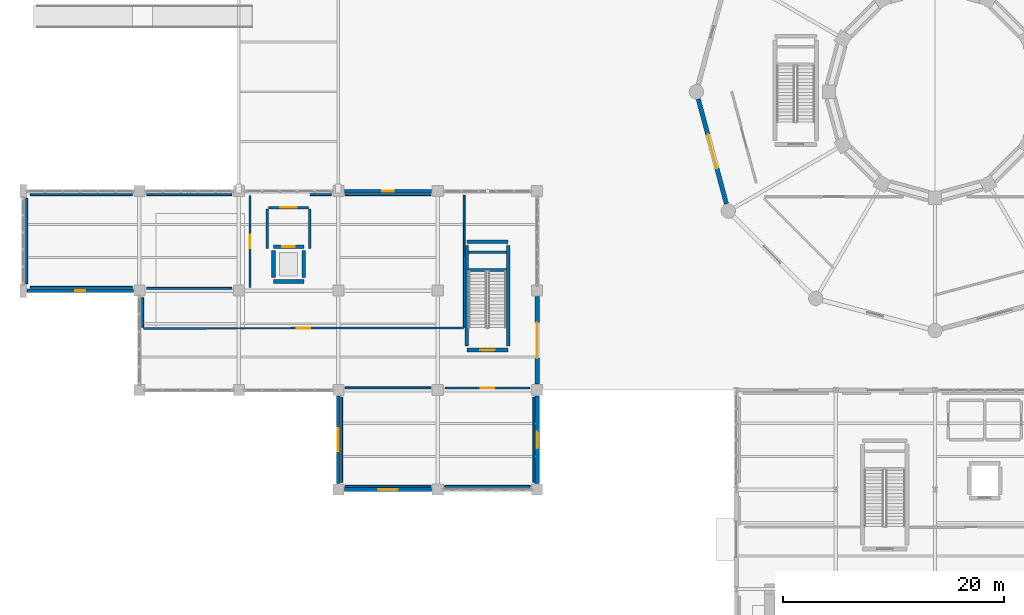
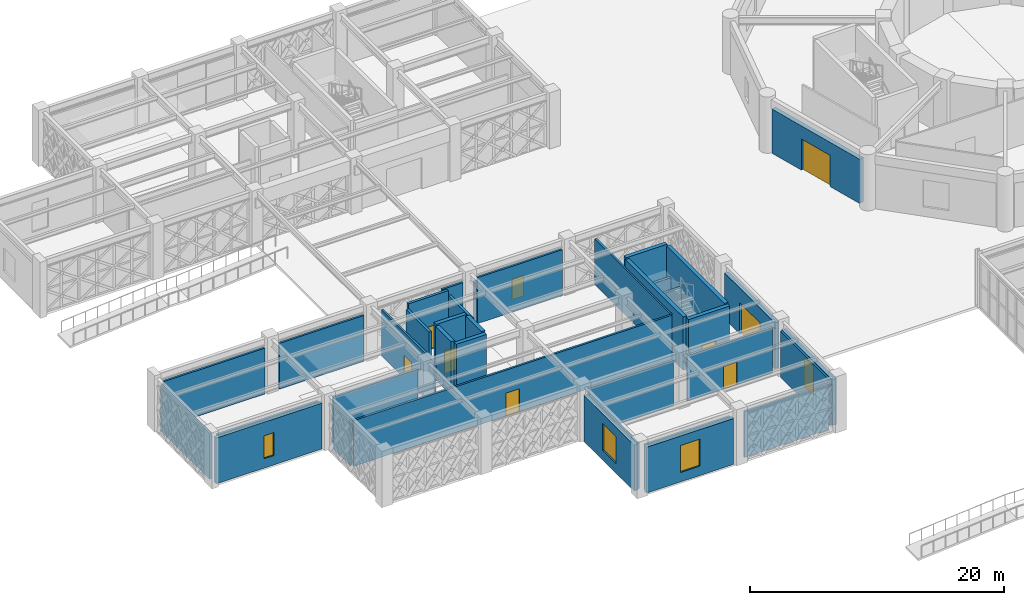
# One storey, part 114 of 140: 37 walls, 8 doors, 5 windows, 13 openings.
"""IFC4 building model written with IfcOpenShell, lengths in metres."""

from ifc_helpers import new_model, si_unit, direction, frame, frame_2d, origin, place, context, subcontext, project, spatial, rectangle, extrude, material, layer, layer_set, type_object, element, fill, save


model = new_model("IFC4")

# Units and contexts
model_context = context("Model", 3, precision=1e-05, world=origin(), true_north=direction((0.0, 1.0)))
body_context = subcontext(model_context, "Body", "Model", "MODEL_VIEW")
ifc_project = project(units=[si_unit("LENGTHUNIT", "METRE"), si_unit("AREAUNIT", "SQUARE_METRE"), si_unit("VOLUMEUNIT", "CUBIC_METRE"), si_unit("PLANEANGLEUNIT", "RADIAN"), si_unit("MASSUNIT", "GRAM", prefix="KILO")], contexts=[model_context])

# Site, building, storey
site_placement = place(None, origin())
site = spatial("IfcSite", under=ifc_project, at=site_placement, CompositionType="ELEMENT")
building_placement = place(site_placement, origin())
building = spatial("IfcBuilding", under=site, at=building_placement, Name="Haizhuo Lancet Aquarium", CompositionType="ELEMENT")
storey_placement = place(building_placement, origin())
storey = spatial("IfcBuildingStorey", under=building, at=storey_placement, Name="L00", CompositionType="ELEMENT", Elevation=0.0)

# Wall, opening, window
ifc_material_1 = material(Name="Shandong Grey Limestone Ashlar", Category="masonry")
ifc_layer_1 = layer(ifc_material_1, 0.280029296875)
ifc_layer_set_1 = layer_set([ifc_layer_1], Name="Shandong Grey Limestone Ashlar")
wall_type_1 = type_object("IfcWallType", Name="EWL-ASH-280", PredefinedType="SOLIDWALL", material=ifc_layer_set_1)
wall_1_placement = place(storey_placement, frame((-53.455078125, -9.0, 0.0), z_axis=(0.0, 0.0, 1.0), x_axis=(1.0, 0.0, 0.0)))
wall_1 = element("IfcWall", 1, at=wall_1_placement, inside=storey, type_object=wall_type_1, Name="L00 V6 limestone facade wall 95", PredefinedType="SOLIDWALL", context=body_context, shape_type="SweptSolid", body=[
    extrude(rectangle(XDim=7.91015625, YDim=0.280029296875, at=frame_2d((3.955078125, 0.0))), origin(), (0.0, 0.0, 1.0), 3.81494140625),
])
opening_1_placement = place(wall_1_placement, frame((3.429931640625, 0.0, 0.89990234375)))
opening_1 = element("IfcOpeningElement", 2, at=opening_1_placement, cuts=wall_1, Name="Opening WN-12", PredefinedType="OPENING", context=body_context, shape_type="SweptSolid", body=[
    extrude(rectangle(XDim=1.050048828125, YDim=2.0, at=frame_2d((0.52490234375, 1.0))), frame((0.0, 0.14990234375, 0.0), z_axis=(0.0, -1.0, 0.0), x_axis=(1.0, 0.0, 0.0)), (0.0, 0.0, 1.0), 0.300029),
])
ifc_material_2 = material(Name="Laminated Low-E Glass", Category="glass")
window_type_1 = type_object("IfcWindowType", Name="WIN-LAN-1050x2000", PartitioningType="SINGLE_PANEL", PredefinedType="WINDOW", material=ifc_material_2)
window_1_placement = place(opening_1_placement, origin())
window_1 = element("IfcWindow", 3, at=window_1_placement, inside=storey, type_object=window_type_1, Name="L00 V6 lancet window 72", OverallHeight=2.0, OverallWidth=1.050048828125, PartitioningType="SINGLE_PANEL", PredefinedType="WINDOW", context=body_context, shape_type="SweptSolid", body=[
    extrude(rectangle(XDim=1.050048828125, YDim=2.0, at=frame_2d((0.52490234375, 1.0))), frame((0.0, 0.030029296875, 0.0), z_axis=(0.0, -1.0, 0.0), x_axis=(1.0, 0.0, 0.0)), (0.0, 0.0, 1.0), 0.06005859375),
])
fill(opening_1, window_1)

ifc_layer_2 = layer(ifc_material_1, 0.320068359375)
ifc_layer_set_2 = layer_set([ifc_layer_2], Name="Shandong Grey Limestone Ashlar")
wall_type_2 = type_object("IfcWallType", Name="EWL-ASH-320", PredefinedType="SOLIDWALL", material=ifc_layer_set_2)
wall_2_placement = place(storey_placement, frame((-72.544921875, -18.0, 0.0), z_axis=(0.0, 0.0, 1.0), x_axis=(-1.0, 0.0, 0.0)))
wall_2 = element("IfcWall", 4, at=wall_2_placement, inside=storey, type_object=wall_type_2, Name="L00 V6 limestone facade wall 94", PredefinedType="SOLIDWALL", context=body_context, shape_type="SweptSolid", body=[
    extrude(rectangle(XDim=9.610107421875, YDim=0.320068359375, at=frame_2d((4.80517578125, 0.0))), origin(), (0.0, 0.0, 1.0), 4.405029296875),
])
opening_2_placement = place(wall_2_placement, frame((4.35498046875, 0.0, 0.89990234375)))
opening_2 = element("IfcOpeningElement", 5, at=opening_2_placement, cuts=wall_2, Name="Opening WN-11", PredefinedType="OPENING", context=body_context, shape_type="SweptSolid", body=[
    extrude(rectangle(XDim=0.89990234375, YDim=2.199951171875, at=frame_2d((0.449951171875, 1.10009765625))), frame((0.0, 0.169921875, 0.0), z_axis=(0.0, -1.0, 0.0), x_axis=(1.0, 0.0, 0.0)), (0.0, 0.0, 1.0), 0.340068),
])
window_type_2 = type_object("IfcWindowType", Name="WIN-LAN-900x2200", PartitioningType="SINGLE_PANEL", PredefinedType="WINDOW", material=ifc_material_2)
window_2_placement = place(opening_2_placement, origin())
window_2 = element("IfcWindow", 6, at=window_2_placement, inside=storey, type_object=window_type_2, Name="L00 V6 lancet window 71", OverallHeight=2.199951171875, OverallWidth=0.89990234375, PartitioningType="SINGLE_PANEL", PredefinedType="WINDOW", context=body_context, shape_type="SweptSolid", body=[
    extrude(rectangle(XDim=0.89990234375, YDim=2.199951171875, at=frame_2d((0.449951171875, 1.10009765625))), frame((0.0, 0.030029296875, 0.0), z_axis=(0.0, -1.0, 0.0), x_axis=(1.0, 0.0, 0.0)), (0.0, 0.0, 1.0), 0.06005859375),
])
fill(opening_2, window_2)

wall_3_placement = place(storey_placement, frame((-54.0, -35.455078125, 0.0), z_axis=(0.0, 0.0, 1.0), x_axis=(0.0, 1.0, 0.0)))
wall_3 = element("IfcWall", 7, at=wall_3_placement, inside=storey, type_object=wall_type_2, Name="L00 V6 limestone facade wall 99", PredefinedType="SOLIDWALL", context=body_context, shape_type="SweptSolid", body=[
    extrude(rectangle(XDim=7.91015625, YDim=0.320068359375, at=frame_2d((3.955078125, 0.0))), origin(), (0.0, 0.0, 1.0), 4.405029296875),
])
opening_3_placement = place(wall_3_placement, frame((2.905029296875, 0.0, 0.89990234375)))
opening_3 = element("IfcOpeningElement", 8, at=opening_3_placement, cuts=wall_3, Name="Opening WN-07", PredefinedType="OPENING", context=body_context, shape_type="SweptSolid", body=[
    extrude(rectangle(XDim=2.10009765625, YDim=2.60009765625, at=frame_2d((1.050048828125, 1.300048828125))), frame((0.0, 0.169921875, 0.0), z_axis=(0.0, -1.0, 0.0), x_axis=(1.0, 0.0, 0.0)), (0.0, 0.0, 1.0), 0.340068),
])
window_type_3 = type_object("IfcWindowType", Name="WIN-LAN-2100x2600", PartitioningType="SINGLE_PANEL", PredefinedType="WINDOW", material=ifc_material_2)
window_3_placement = place(opening_3_placement, origin())
window_3 = element("IfcWindow", 9, at=window_3_placement, inside=storey, type_object=window_type_3, Name="L00 V6 lancet window 75", OverallHeight=2.60009765625, OverallWidth=2.10009765625, PartitioningType="SINGLE_PANEL", PredefinedType="WINDOW", context=body_context, shape_type="SweptSolid", body=[
    extrude(rectangle(XDim=2.10009765625, YDim=2.60009765625, at=frame_2d((1.050048828125, 1.300048828125))), frame((0.0, 0.030029296875, 0.0), z_axis=(0.0, -1.0, 0.0), x_axis=(1.0, 0.0, 0.0)), (0.0, 0.0, 1.0), 0.06005859375),
])
fill(opening_3, window_3)

ifc_layer_3 = layer(ifc_material_1, 0.360107421875)
ifc_layer_set_3 = layer_set([ifc_layer_3], Name="Shandong Grey Limestone Ashlar")
wall_type_3 = type_object("IfcWallType", Name="EWL-ASH-360", PredefinedType="SOLIDWALL", material=ifc_layer_set_3)
wall_4_placement = place(storey_placement, frame((-45.544921875, -36.0, 0.0), z_axis=(0.0, 0.0, 1.0), x_axis=(-1.0, 0.0, 0.0)))
wall_4 = element("IfcWall", 10, at=wall_4_placement, inside=storey, type_object=wall_type_3, Name="L00 V6 limestone facade wall 98", PredefinedType="SOLIDWALL", context=body_context, shape_type="SweptSolid", body=[
    extrude(rectangle(XDim=7.91015625, YDim=0.360107421875, at=frame_2d((3.955078125, 0.0))), origin(), (0.0, 0.0, 1.0), 4.405029296875),
])
opening_4_placement = place(wall_4_placement, frame((3.054931640625, 0.0, 0.89990234375)))
opening_4 = element("IfcOpeningElement", 11, at=opening_4_placement, cuts=wall_4, Name="Opening WN-05", PredefinedType="OPENING", context=body_context, shape_type="SweptSolid", body=[
    extrude(rectangle(XDim=1.800048828125, YDim=2.60009765625, at=frame_2d((0.89990234375, 1.300048828125))), frame((0.0, 0.18994140625, 0.0), z_axis=(0.0, -1.0, 0.0), x_axis=(1.0, 0.0, 0.0)), (0.0, 0.0, 1.0), 0.380107),
])
window_type_4 = type_object("IfcWindowType", Name="WIN-LAN-1800x2600", PartitioningType="SINGLE_PANEL", PredefinedType="WINDOW", material=ifc_material_2)
window_4_placement = place(opening_4_placement, origin())
window_4 = element("IfcWindow", 12, at=window_4_placement, inside=storey, type_object=window_type_4, Name="L00 V6 lancet window 74", OverallHeight=2.60009765625, OverallWidth=1.800048828125, PartitioningType="SINGLE_PANEL", PredefinedType="WINDOW", context=body_context, shape_type="SweptSolid", body=[
    extrude(rectangle(XDim=1.800048828125, YDim=2.60009765625, at=frame_2d((0.89990234375, 1.300048828125))), frame((0.0, 0.030029296875, 0.0), z_axis=(0.0, -1.0, 0.0), x_axis=(1.0, 0.0, 0.0)), (0.0, 0.0, 1.0), 0.06005859375),
])
fill(opening_4, window_4)

# Wall, opening, door
ifc_layer_4 = layer(ifc_material_1, 0.39990234375)
ifc_layer_set_4 = layer_set([ifc_layer_4], Name="Shandong Grey Limestone Ashlar")
wall_type_4 = type_object("IfcWallType", Name="EWL-ASH-400", PredefinedType="SOLIDWALL", material=ifc_layer_set_4)
wall_5_placement = place(storey_placement, frame((-18.885986328125, -10.12890625, 0.0), z_axis=(0.0, 0.0, 1.0), x_axis=(-0.258787599316, 0.965934251614, 0.0)))
wall_5 = element("IfcWall", 13, at=wall_5_placement, inside=storey, type_object=wall_type_4, Name="L00 V1 limestone drum wall bay 7", PredefinedType="SOLIDWALL", context=body_context, shape_type="SweptSolid", body=[
    extrude(rectangle(XDim=9.79150390625, YDim=0.39990234375, at=frame_2d((4.895751953125, 0.0))), origin(), (0.0, 0.0, 1.0), 4.2548828125),
])
opening_5_placement = place(wall_5_placement, frame((3.2958984375, 0.0, 0.0)))
opening_5 = element("IfcOpeningElement", 14, at=opening_5_placement, cuts=wall_5, Name="Opening ED-A", PredefinedType="OPENING", context=body_context, shape_type="SweptSolid", body=[
    extrude(rectangle(XDim=3.199951171875, YDim=3.0, at=frame_2d((1.60009765625, 1.5))), frame((0.0, 0.2099609375, 0.0), z_axis=(0.0, -1.0, 0.0), x_axis=(1.0, 0.0, 0.0)), (0.0, 0.0, 1.0), 0.419902),
])
ifc_material_3 = material(Name="Aluminium 6063-T6", Category="aluminium")
door_type_1 = type_object("IfcDoorType", Name="EDR-PORTAL-3200x3000", OperationType="NOTDEFINED", PredefinedType="DOOR", material=ifc_material_3)
door_1_placement = place(opening_5_placement, origin())
door_1 = element("IfcDoor", 15, at=door_1_placement, inside=storey, type_object=door_type_1, Name="Pedestrian entrance portal ED-04", OperationType="DOUBLE_DOOR_SINGLE_SWING", OverallHeight=3.0, OverallWidth=3.199951171875, PredefinedType="DOOR", context=body_context, shape_type="SweptSolid", body=[
    extrude(rectangle(XDim=3.199951171875, YDim=3.0, at=frame_2d((1.60009765625, 1.5))), frame((0.0, 0.02490234375, 0.0), z_axis=(0.0, -1.0, 0.0), x_axis=(1.0, 0.0, 0.0)), (0.0, 0.0, 1.0), 0.050048828125),
])
fill(opening_5, door_1)

wall_6_placement = place(storey_placement, frame((-36.0, -18.544921875, 0.0), z_axis=(0.0, 0.0, 1.0), x_axis=(0.0, -1.0, 0.0)))
wall_6 = element("IfcWall", 16, at=wall_6_placement, inside=storey, type_object=wall_type_4, Name="L00 V6 pointed-arch limestone entrance portal wall", PredefinedType="SOLIDWALL", context=body_context, shape_type="SweptSolid", body=[
    extrude(rectangle(XDim=7.91015625, YDim=0.39990234375, at=frame_2d((3.955078125, 0.0))), origin(), (0.0, 0.0, 1.0), 4.405029296875),
])
opening_6_placement = place(wall_6_placement, frame((2.35498046875, 0.0, 0.0)))
opening_6 = element("IfcOpeningElement", 17, at=opening_6_placement, cuts=wall_6, Name="Opening ED-A", PredefinedType="OPENING", context=body_context, shape_type="SweptSolid", body=[
    extrude(rectangle(XDim=3.199951171875, YDim=3.0, at=frame_2d((1.60009765625, 1.5))), frame((0.0, 0.2099609375, 0.0), z_axis=(0.0, -1.0, 0.0), x_axis=(1.0, 0.0, 0.0)), (0.0, 0.0, 1.0), 0.419902),
])
door_2_placement = place(opening_6_placement, origin())
door_2 = element("IfcDoor", 18, at=door_2_placement, inside=storey, type_object=door_type_1, Name="Ground pedestrian entrance portal ED-19", OperationType="DOUBLE_DOOR_SINGLE_SWING", OverallHeight=3.0, OverallWidth=3.199951171875, PredefinedType="DOOR", context=body_context, shape_type="SweptSolid", body=[
    extrude(rectangle(XDim=3.199951171875, YDim=3.0, at=frame_2d((1.60009765625, 1.5))), frame((0.0, 0.02490234375, 0.0), z_axis=(0.0, -1.0, 0.0), x_axis=(1.0, 0.0, 0.0)), (0.0, 0.0, 1.0), 0.050048828125),
])
fill(opening_6, door_2)

# Wall, opening, window
wall_7_placement = place(storey_placement, frame((-36.0, -27.544921875, 0.0), z_axis=(0.0, 0.0, 1.0), x_axis=(0.0, -1.0, 0.0)))
wall_7 = element("IfcWall", 19, at=wall_7_placement, inside=storey, type_object=wall_type_4, Name="L00 V6 limestone facade wall 97", PredefinedType="SOLIDWALL", context=body_context, shape_type="SweptSolid", body=[
    extrude(rectangle(XDim=7.91015625, YDim=0.39990234375, at=frame_2d((3.955078125, 0.0))), origin(), (0.0, 0.0, 1.0), 4.405029296875),
])
opening_7_placement = place(wall_7_placement, frame((3.205078125, 0.0, 0.89990234375)))
opening_7 = element("IfcOpeningElement", 20, at=opening_7_placement, cuts=wall_7, Name="Opening WN-03", PredefinedType="OPENING", context=body_context, shape_type="SweptSolid", body=[
    extrude(rectangle(XDim=1.5, YDim=2.800048828125, at=frame_2d((0.75, 1.39990234375))), frame((0.0, 0.2099609375, 0.0), z_axis=(0.0, -1.0, 0.0), x_axis=(1.0, 0.0, 0.0)), (0.0, 0.0, 1.0), 0.419902),
])
window_type_5 = type_object("IfcWindowType", Name="WIN-LAN-1500x2800", PartitioningType="SINGLE_PANEL", PredefinedType="WINDOW", material=ifc_material_2)
window_5_placement = place(opening_7_placement, origin())
window_5 = element("IfcWindow", 21, at=window_5_placement, inside=storey, type_object=window_type_5, Name="L00 V6 lancet window 73", OverallHeight=2.800048828125, OverallWidth=1.5, PartitioningType="SINGLE_PANEL", PredefinedType="WINDOW", context=body_context, shape_type="SweptSolid", body=[
    extrude(rectangle(XDim=1.5, YDim=2.800048828125, at=frame_2d((0.75, 1.39990234375))), frame((0.0, 0.030029296875, 0.0), z_axis=(0.0, -1.0, 0.0), x_axis=(1.0, 0.0, 0.0)), (0.0, 0.0, 1.0), 0.06005859375),
])
fill(opening_7, window_5)

# Wall, opening, door
ifc_material_4 = material(Name="Concrete C40/50", Category="concrete")
ifc_layer_5 = layer(ifc_material_4, 0.239990234375)
ifc_layer_set_5 = layer_set([ifc_layer_5], Name="Concrete C40/50")
wall_type_5 = type_object("IfcWallType", Name="IWL-FIRE-240", PredefinedType="PARTITIONING", material=ifc_layer_set_5)
wall_8_placement = place(storey_placement, frame((-56.699951171875, -10.47998046875, 0.0), z_axis=(0.0, 0.0, 1.0), x_axis=(-1.0, 0.0, 0.0)))
wall_8 = element("IfcWall", 22, at=wall_8_placement, inside=storey, type_object=wall_type_5, Name="L00 LF-03 firefighting lift lobby firewall N", PredefinedType="PARTITIONING", context=body_context, shape_type="SweptSolid", body=[
    extrude(rectangle(XDim=3.60009765625, YDim=0.239990234375, at=frame_2d((1.800048828125, 0.0))), origin(), (0.0, 0.0, 1.0), 5.070068359375),
])
opening_8_placement = place(wall_8_placement, frame((1.050048828125, 0.0, 0.0)))
opening_8 = element("IfcOpeningElement", 23, at=opening_8_placement, cuts=wall_8, Name="Opening FD-03", PredefinedType="OPENING", context=body_context, shape_type="SweptSolid", body=[
    extrude(rectangle(XDim=1.5, YDim=2.199951171875, at=frame_2d((0.75, 1.10009765625))), frame((0.0, 0.1298828125, 0.0), z_axis=(0.0, -1.0, 0.0), x_axis=(1.0, 0.0, 0.0)), (0.0, 0.0, 1.0), 0.25999),
])
ifc_material_5 = material(Name="Steel S355", Category="steel")
door_type_2 = type_object("IfcDoorType", Name="IDR-FFL-1500x2200", OperationType="NOTDEFINED", PredefinedType="DOOR", material=ifc_material_5)
door_3_placement = place(opening_8_placement, origin())
door_3 = element("IfcDoor", 24, at=door_3_placement, inside=storey, type_object=door_type_2, Name="L00 LF-03 firefighting lift lobby door", OperationType="SINGLE_SWING_RIGHT", OverallHeight=2.199951171875, OverallWidth=1.5, PredefinedType="DOOR", context=body_context, shape_type="SweptSolid", body=[
    extrude(rectangle(XDim=1.5, YDim=2.199951171875, at=frame_2d((0.75, 1.10009765625))), frame((0.0, 0.02490234375, 0.0), z_axis=(0.0, -1.0, 0.0), x_axis=(1.0, 0.0, 0.0)), (0.0, 0.0, 1.0), 0.050048828125),
])
fill(opening_8, door_3)

# Walls
for number, where, z_axis, x_axis, name in (
    (25, (-60.419921875, -14.199951171875, 0.0), (0.0, 0.0, 1.0), (0.0, 1.0, 0.0), "L00 LF-03 firefighting lift lobby firewall W"),
    (26, (-56.580078125, -14.199951171875, 0.0), (0.0, 0.0, 1.0), (0.0, 1.0, 0.0), "L00 LF-03 firefighting lift lobby firewall E"),
):
    element("IfcWall", number, at=place(storey_placement, frame(where, z_axis=z_axis, x_axis=x_axis)), inside=storey, type_object=wall_type_5, Name=name, PredefinedType="PARTITIONING", context=body_context, shape_type="SweptSolid", body=[
        extrude(rectangle(XDim=3.599853515625, YDim=0.239990234375, at=frame_2d((1.7998046875, 0.0))), origin(), (0.0, 0.0, 1.0), 4.60498046875),
    ])
ifc_layer_6 = layer(ifc_material_4, 0.179931640625)
ifc_layer_set_6 = layer_set([ifc_layer_6], Name="Concrete C40/50")
wall_type_6 = type_object("IfcWallType", Name="IWL-LAB-180", PredefinedType="PARTITIONING", material=ifc_layer_set_6)
wall_9_placement = place(storey_placement, frame((-81.85009765625, -17.699951171875, 0.0), z_axis=(0.0, 0.0, 1.0), x_axis=(1.0, 0.0, 0.0)))
element("IfcWall", 27, at=wall_9_placement, inside=storey, type_object=wall_type_6, Name="L00 partition wall 176", PredefinedType="PARTITIONING", context=body_context, shape_type="SweptSolid", body=[
    extrude(rectangle(XDim=9.2001953125, YDim=0.179931640625, at=frame_2d((4.60009765625, 0.0))), origin(), (0.0, 0.0, 1.0), 4.405029296875),
])
wall_10_placement = place(storey_placement, frame((-71.35009765625, -17.800048828125, 0.0), z_axis=(0.0, 0.0, 1.0), x_axis=(1.0, 0.0, 0.0)))
element("IfcWall", 28, at=wall_10_placement, inside=storey, type_object=wall_type_6, Name="L00 partition wall 177", PredefinedType="PARTITIONING", context=body_context, shape_type="SweptSolid", body=[
    extrude(rectangle(XDim=7.7001953125, YDim=0.179931640625, at=frame_2d((3.85009765625, 0.0))), origin(), (0.0, 0.0, 1.0), 4.405029296875),
])

# Wall, opening, door
wall_11_placement = place(storey_placement, frame((-62.0, -17.699951171875, 0.0), z_axis=(0.0, 0.0, 1.0), x_axis=(0.0, 1.0, 0.0)))
wall_11 = element("IfcWall", 29, at=wall_11_placement, inside=storey, type_object=wall_type_6, Name="L00 partition wall 178", PredefinedType="PARTITIONING", context=body_context, shape_type="SweptSolid", body=[
    extrude(rectangle(XDim=8.300048828125, YDim=0.179931640625, at=frame_2d((4.14990234375, 0.0))), origin(), (0.0, 0.0, 1.0), 4.405029296875),
])
opening_9_placement = place(wall_11_placement, frame((3.550048828125, 0.0, 0.0)))
opening_9 = element("IfcOpeningElement", 30, at=opening_9_placement, cuts=wall_11, Name="Opening D-04", PredefinedType="OPENING", context=body_context, shape_type="SweptSolid", body=[
    extrude(rectangle(XDim=1.199951171875, YDim=2.199951171875, at=frame_2d((0.60009765625, 1.10009765625))), frame((0.0, 0.099853515625, 0.0), z_axis=(0.0, -1.0, 0.0), x_axis=(1.0, 0.0, 0.0)), (0.0, 0.0, 1.0), 0.199932),
])
door_type_3 = type_object("IfcDoorType", Name="IDR-LAB-1200x2200", OperationType="NOTDEFINED", PredefinedType="DOOR", material=ifc_material_5)
door_4_placement = place(opening_9_placement, origin())
door_4 = element("IfcDoor", 31, at=door_4_placement, inside=storey, type_object=door_type_3, Name="L00 Marine Research Reception door", OperationType="SINGLE_SWING_LEFT", OverallHeight=2.199951171875, OverallWidth=1.199951171875, PredefinedType="DOOR", context=body_context, shape_type="SweptSolid", body=[
    extrude(rectangle(XDim=1.199951171875, YDim=2.199951171875, at=frame_2d((0.60009765625, 1.10009765625))), frame((0.0, 0.02490234375, 0.0), z_axis=(0.0, -1.0, 0.0), x_axis=(1.0, 0.0, 0.0)), (0.0, 0.0, 1.0), 0.050048828125),
])
fill(opening_9, door_4)

# Walls
wall_12_placement = place(storey_placement, frame((-63.64990234375, -9.300048828125, 0.0), z_axis=(0.0, 0.0, 1.0), x_axis=(-1.0, 0.0, 0.0)))
element("IfcWall", 32, at=wall_12_placement, inside=storey, type_object=wall_type_6, Name="L00 partition wall 179", PredefinedType="PARTITIONING", context=body_context, shape_type="SweptSolid", body=[
    extrude(rectangle(XDim=7.7001953125, YDim=0.179931640625, at=frame_2d((3.85009765625, 0.0))), origin(), (0.0, 0.0, 1.0), 4.405029296875),
])
wall_13_placement = place(storey_placement, frame((-72.64990234375, -9.300048828125, 0.0), z_axis=(0.0, 0.0, 1.0), x_axis=(-1.0, 0.0, 0.0)))
element("IfcWall", 33, at=wall_13_placement, inside=storey, type_object=wall_type_6, Name="L00 partition wall 180", PredefinedType="PARTITIONING", context=body_context, shape_type="SweptSolid", body=[
    extrude(rectangle(XDim=9.2001953125, YDim=0.179931640625, at=frame_2d((4.60009765625, 0.0))), origin(), (0.0, 0.0, 1.0), 4.405029296875),
])
wall_14_placement = place(storey_placement, frame((-82.199951171875, -9.64990234375, 0.0), z_axis=(0.0, 0.0, 1.0), x_axis=(0.0, -1.0, 0.0)))
element("IfcWall", 34, at=wall_14_placement, inside=storey, type_object=wall_type_6, Name="L00 partition wall 181", PredefinedType="PARTITIONING", context=body_context, shape_type="SweptSolid", body=[
    extrude(rectangle(XDim=7.7001953125, YDim=0.179931640625, at=frame_2d((3.85009765625, 0.0))), origin(), (0.0, 0.0, 1.0), 4.405029296875),
])
wall_15_placement = place(storey_placement, frame((-71.699951171875, -18.639892578125, 0.0), z_axis=(0.0, 0.0, 1.0), x_axis=(0.0, -1.0, 0.0)))
element("IfcWall", 35, at=wall_15_placement, inside=storey, type_object=wall_type_6, Name="L00 partition wall 182", PredefinedType="PARTITIONING", context=body_context, shape_type="SweptSolid", body=[
    extrude(rectangle(XDim=2.66015625, YDim=0.179931640625, at=frame_2d((1.330078125, 0.0))), origin(), (0.0, 0.0, 1.0), 4.405029296875),
])

# Wall, opening, door
wall_16_placement = place(storey_placement, frame((-71.610107421875, -21.39990234375, 0.0), z_axis=(0.0, 0.0, 1.0), x_axis=(0.99999999089, 0.000134981228, 0.0)))
wall_16 = element("IfcWall", 36, at=wall_16_placement, inside=storey, type_object=wall_type_6, Name="L00 partition wall 183", PredefinedType="PARTITIONING", context=body_context, shape_type="SweptSolid", body=[
    extrude(rectangle(XDim=28.939208984375, YDim=0.179931640625, at=frame_2d((14.4697265625, 0.0))), origin(), (0.0, 0.0, 1.0), 4.405029296875),
])
opening_10_placement = place(wall_16_placement, frame((13.8701171875, 0.0, 0.0)))
opening_10 = element("IfcOpeningElement", 37, at=opening_10_placement, cuts=wall_16, Name="Opening D-04", PredefinedType="OPENING", context=body_context, shape_type="SweptSolid", body=[
    extrude(rectangle(XDim=1.199951171875, YDim=2.199951171875, at=frame_2d((0.60009765625, 1.10009765625))), frame((0.0, 0.099853515625, 0.0), z_axis=(0.0, -1.0, 0.0), x_axis=(1.0, 0.0, 0.0)), (0.0, 0.0, 1.0), 0.199932),
])
door_5_placement = place(opening_10_placement, origin())
door_5 = element("IfcDoor", 38, at=door_5_placement, inside=storey, type_object=door_type_3, Name="L00 Marine Research Laboratory door", OperationType="SINGLE_SWING_RIGHT", OverallHeight=2.199951171875, OverallWidth=1.199951171875, PredefinedType="DOOR", context=body_context, shape_type="SweptSolid", body=[
    extrude(rectangle(XDim=1.199951171875, YDim=2.199951171875, at=frame_2d((0.60009765625, 1.10009765625))), frame((0.0, 0.02490234375, 0.0), z_axis=(0.0, -1.0, 0.0), x_axis=(1.0, 0.0, 0.0)), (0.0, 0.0, 1.0), 0.050048828125),
])
fill(opening_10, door_5)

# Walls
wall_17_placement = place(storey_placement, frame((-42.60009765625, -21.300048828125, 0.0), z_axis=(0.0, 0.0, 1.0), x_axis=(-0.00032745951, 0.999999946385, 0.0)))
element("IfcWall", 39, at=wall_17_placement, inside=storey, type_object=wall_type_6, Name="L00 partition wall 184", PredefinedType="PARTITIONING", context=body_context, shape_type="SweptSolid", body=[
    extrude(rectangle(XDim=11.928955078125, YDim=0.179931640625, at=frame_2d((5.96435546875, 0.0))), origin(), (0.0, 0.0, 1.0), 4.405029296875),
])
wall_18_placement = place(storey_placement, frame((-45.64990234375, -9.300048828125, 0.0), z_axis=(0.0, 0.0, 1.0), x_axis=(-1.0, 0.0, 0.0)))
element("IfcWall", 40, at=wall_18_placement, inside=storey, type_object=wall_type_6, Name="L00 partition wall 185", PredefinedType="PARTITIONING", context=body_context, shape_type="SweptSolid", body=[
    extrude(rectangle(XDim=7.7001953125, YDim=0.179931640625, at=frame_2d((3.85009765625, 0.0))), origin(), (0.0, 0.0, 1.0), 4.405029296875),
])
wall_19_placement = place(storey_placement, frame((-54.64990234375, -9.300048828125, 0.0), z_axis=(0.0, 0.0, 1.0), x_axis=(-0.999999867933, -0.000513940572, 0.0)))
element("IfcWall", 41, at=wall_19_placement, inside=storey, type_object=wall_type_6, Name="L00 partition wall 186", PredefinedType="PARTITIONING", context=body_context, shape_type="SweptSolid", body=[
    extrude(rectangle(XDim=1.900146484375, YDim=0.179931640625, at=frame_2d((0.9501953125, 0.0))), origin(), (0.0, 0.0, 1.0), 4.405029296875),
])
for number, where, z_axis, x_axis, name in (
    (42, (-53.35009765625, -35.699951171875, 0.0), (0.0, 0.0, 1.0), (1.0, 0.0, 0.0), "L00 partition wall 187"),
    (43, (-44.35009765625, -35.699951171875, 0.0), (0.0, 0.0, 1.0), (1.0, 0.0, 0.0), "L00 partition wall 188"),
    (44, (-36.300048828125, -35.35009765625, 0.0), (0.0, 0.0, 1.0), (0.0, 1.0, 0.0), "L00 partition wall 189"),
):
    element("IfcWall", number, at=place(storey_placement, frame(where, z_axis=z_axis, x_axis=x_axis)), inside=storey, type_object=wall_type_6, Name=name, PredefinedType="PARTITIONING", context=body_context, shape_type="SweptSolid", body=[
        extrude(rectangle(XDim=7.7001953125, YDim=0.179931640625, at=frame_2d((3.85009765625, 0.0))), origin(), (0.0, 0.0, 1.0), 4.405029296875),
    ])

# Wall, opening, door
wall_20_placement = place(storey_placement, frame((-36.64990234375, -26.800048828125, 0.0), z_axis=(0.0, 0.0, 1.0), x_axis=(-1.0, 0.0, 0.0)))
wall_20 = element("IfcWall", 45, at=wall_20_placement, inside=storey, type_object=wall_type_6, Name="L00 partition wall 190", PredefinedType="PARTITIONING", context=body_context, shape_type="SweptSolid", body=[
    extrude(rectangle(XDim=7.710205078125, YDim=0.179931640625, at=frame_2d((3.85498046875, 0.0))), origin(), (0.0, 0.0, 1.0), 4.405029296875),
])
opening_11_placement = place(wall_20_placement, frame((3.2548828125, 0.0, 0.0)))
opening_11 = element("IfcOpeningElement", 46, at=opening_11_placement, cuts=wall_20, Name="Opening D-04", PredefinedType="OPENING", context=body_context, shape_type="SweptSolid", body=[
    extrude(rectangle(XDim=1.199951171875, YDim=2.199951171875, at=frame_2d((0.60009765625, 1.10009765625))), frame((0.0, 0.099853515625, 0.0), z_axis=(0.0, -1.0, 0.0), x_axis=(1.0, 0.0, 0.0)), (0.0, 0.0, 1.0), 0.199932),
])
door_6_placement = place(opening_11_placement, origin())
door_6 = element("IfcDoor", 47, at=door_6_placement, inside=storey, type_object=door_type_3, Name="L00 Water Chemistry Sampling Laboratory door", OperationType="SINGLE_SWING_LEFT", OverallHeight=2.199951171875, OverallWidth=1.199951171875, PredefinedType="DOOR", context=body_context, shape_type="SweptSolid", body=[
    extrude(rectangle(XDim=1.199951171875, YDim=2.199951171875, at=frame_2d((0.60009765625, 1.10009765625))), frame((0.0, 0.02490234375, 0.0), z_axis=(0.0, -1.0, 0.0), x_axis=(1.0, 0.0, 0.0)), (0.0, 0.0, 1.0), 0.050048828125),
])
fill(opening_11, door_6)

# Walls
wall_21_placement = place(storey_placement, frame((-45.639892578125, -26.800048828125, 0.0), z_axis=(0.0, 0.0, 1.0), x_axis=(-1.0, 0.0, 0.0)))
element("IfcWall", 48, at=wall_21_placement, inside=storey, type_object=wall_type_6, Name="L00 partition wall 191", PredefinedType="PARTITIONING", context=body_context, shape_type="SweptSolid", body=[
    extrude(rectangle(XDim=7.710205078125, YDim=0.179931640625, at=frame_2d((3.85498046875, 0.0))), origin(), (0.0, 0.0, 1.0), 4.405029296875),
])
wall_22_placement = place(storey_placement, frame((-53.699951171875, -27.64990234375, 0.0), z_axis=(0.0, 0.0, 1.0), x_axis=(0.0, -1.0, 0.0)))
element("IfcWall", 49, at=wall_22_placement, inside=storey, type_object=wall_type_6, Name="L00 partition wall 192", PredefinedType="PARTITIONING", context=body_context, shape_type="SweptSolid", body=[
    extrude(rectangle(XDim=7.7001953125, YDim=0.179931640625, at=frame_2d((3.85009765625, 0.0))), origin(), (0.0, 0.0, 1.0), 4.405029296875),
])
ifc_layer_7 = layer(ifc_material_4, 0.35009765625)
ifc_layer_set_7 = layer_set([ifc_layer_7], Name="Concrete C40/50")
wall_type_7 = type_object("IfcWallType", Name="WL-CORE-350", PredefinedType="SHEAR", material=ifc_layer_set_7)
for number, where, z_axis, x_axis, name in (
    (50, (-42.199951171875, -16.125, 0.0), (0.0, 0.0, 1.0), (1.0, 0.0, 0.0), "L00 ST-09 landing support wall"),
    (51, (-42.199951171875, -14.52490234375, 0.0), (0.0, 0.0, 1.0), (1.0, 0.0, 0.0), "L00 ST-09 far landing support wall"),
):
    element("IfcWall", number, at=place(storey_placement, frame(where, z_axis=z_axis, x_axis=x_axis)), inside=storey, type_object=wall_type_7, Name=name, PredefinedType="SHEAR", context=body_context, shape_type="SweptSolid", body=[
        extrude(rectangle(XDim=3.39990234375, YDim=0.25, at=frame_2d((1.699951171875, 0.0))), origin(), (0.0, 0.0, 1.0), 2.5),
    ])

# Wall, opening, door
wall_23_placement = place(storey_placement, frame((-38.625, -23.375, 0.0), z_axis=(0.0, 0.0, 1.0), x_axis=(-1.0, 0.0, 0.0)))
wall_23 = element("IfcWall", 52, at=wall_23_placement, inside=storey, type_object=wall_type_7, Name="L00 ST-09 core shear wall S", PredefinedType="SHEAR", context=body_context, shape_type="SweptSolid", body=[
    extrude(rectangle(XDim=3.75, YDim=0.35009765625, at=frame_2d((1.875, 0.0))), origin(), (0.0, 0.0, 1.0), 5.1201171875),
])
opening_12_placement = place(wall_23_placement, frame((1.22509765625, 0.0, 0.0)))
opening_12 = element("IfcOpeningElement", 53, at=opening_12_placement, cuts=wall_23, Name="Opening FD-02", PredefinedType="OPENING", context=body_context, shape_type="SweptSolid", body=[
    extrude(rectangle(XDim=1.300048828125, YDim=2.199951171875, at=frame_2d((0.64990234375, 1.10009765625))), frame((0.0, 0.18505859375, 0.0), z_axis=(0.0, -1.0, 0.0), x_axis=(1.0, 0.0, 0.0)), (0.0, 0.0, 1.0), 0.370098),
])
door_type_4 = type_object("IfcDoorType", Name="IDR-STAIR-1300x2200", OperationType="NOTDEFINED", PredefinedType="DOOR", material=ifc_material_5)
door_7_placement = place(opening_12_placement, origin())
door_7 = element("IfcDoor", 54, at=door_7_placement, inside=storey, type_object=door_type_4, Name="L00 ST-09 stairwell fire door", OperationType="SINGLE_SWING_RIGHT", OverallHeight=2.199951171875, OverallWidth=1.300048828125, PredefinedType="DOOR", context=body_context, shape_type="SweptSolid", body=[
    extrude(rectangle(XDim=1.300048828125, YDim=2.199951171875, at=frame_2d((0.64990234375, 1.10009765625))), frame((0.0, 0.02490234375, 0.0), z_axis=(0.0, -1.0, 0.0), x_axis=(1.0, 0.0, 0.0)), (0.0, 0.0, 1.0), 0.050048828125),
])
fill(opening_12, door_7)

# Walls
wall_24_placement = place(storey_placement, frame((-42.375, -13.574951171875, 0.0), z_axis=(0.0, 0.0, 1.0), x_axis=(1.0, 0.0, 0.0)))
element("IfcWall", 55, at=wall_24_placement, inside=storey, type_object=wall_type_7, Name="L00 ST-09 core shear wall N", PredefinedType="SHEAR", context=body_context, shape_type="SweptSolid", body=[
    extrude(rectangle(XDim=3.75, YDim=0.35009765625, at=frame_2d((1.875, 0.0))), origin(), (0.0, 0.0, 1.0), 5.1201171875),
])
for number, where, z_axis, x_axis, name in (
    (56, (-42.375, -23.02490234375, 0.0), (0.0, 0.0, 1.0), (0.0, 1.0, 0.0), "L00 ST-09 core shear wall W"),
    (57, (-38.625, -23.02490234375, 0.0), (0.0, 0.0, 1.0), (0.0, 1.0, 0.0), "L00 ST-09 core shear wall E"),
):
    element("IfcWall", number, at=place(storey_placement, frame(where, z_axis=z_axis, x_axis=x_axis)), inside=storey, type_object=wall_type_7, Name=name, PredefinedType="SHEAR", context=body_context, shape_type="SweptSolid", body=[
        extrude(rectangle(XDim=9.099853515625, YDim=0.35009765625, at=frame_2d((4.5498046875, 0.0))), origin(), (0.0, 0.0, 1.0), 5.1201171875),
    ])
wall_25_placement = place(storey_placement, frame((-59.875, -17.175048828125, 0.0), z_axis=(0.0, 0.0, 1.0), x_axis=(1.0, 0.0, 0.0)))
element("IfcWall", 58, at=wall_25_placement, inside=storey, type_object=wall_type_7, Name="L00 LF-03 lift shaft wall -Y", PredefinedType="SHEAR", context=body_context, shape_type="SweptSolid", body=[
    extrude(rectangle(XDim=2.75, YDim=0.35009765625, at=frame_2d((1.375, 0.0))), origin(), (0.0, 0.0, 1.0), 5.1201171875),
])

# Wall, opening, door
wall_26_placement = place(storey_placement, frame((-57.125, -14.02490234375, 0.0), z_axis=(0.0, 0.0, 1.0), x_axis=(-1.0, 0.0, 0.0)))
wall_26 = element("IfcWall", 59, at=wall_26_placement, inside=storey, type_object=wall_type_7, Name="L00 LF-03 lift shaft wall +Y", PredefinedType="SHEAR", context=body_context, shape_type="SweptSolid", body=[
    extrude(rectangle(XDim=2.75, YDim=0.35009765625, at=frame_2d((1.375, 0.0))), origin(), (0.0, 0.0, 1.0), 5.1201171875),
])
opening_13_placement = place(wall_26_placement, frame((0.824951171875, 0.0, 0.0)))
opening_13 = element("IfcOpeningElement", 60, at=opening_13_placement, cuts=wall_26, Name="Opening LD-01", PredefinedType="OPENING", context=body_context, shape_type="SweptSolid", body=[
    extrude(rectangle(XDim=1.10009765625, YDim=2.199951171875, at=frame_2d((0.550048828125, 1.10009765625))), frame((0.0, 0.18505859375, 0.0), z_axis=(0.0, -1.0, 0.0), x_axis=(1.0, 0.0, 0.0)), (0.0, 0.0, 1.0), 0.370098),
])
door_type_5 = type_object("IfcDoorType", Name="IDR-LIFT-1100x2200", OperationType="NOTDEFINED", PredefinedType="DOOR", material=ifc_material_5)
door_8_placement = place(opening_13_placement, origin())
door_8 = element("IfcDoor", 61, at=door_8_placement, inside=storey, type_object=door_type_5, Name="L00 LF-03 sliding lift landing door", OperationType="DOUBLE_DOOR_SLIDING", OverallHeight=2.199951171875, OverallWidth=1.10009765625, PredefinedType="DOOR", context=body_context, shape_type="SweptSolid", body=[
    extrude(rectangle(XDim=1.10009765625, YDim=2.199951171875, at=frame_2d((0.550048828125, 1.10009765625))), frame((0.0, 0.02490234375, 0.0), z_axis=(0.0, -1.0, 0.0), x_axis=(1.0, 0.0, 0.0)), (0.0, 0.0, 1.0), 0.050048828125),
])
fill(opening_13, door_8)

# Walls
for number, where, z_axis, x_axis, name in (
    (62, (-59.875, -16.824951171875, 0.0), (0.0, 0.0, 1.0), (0.0, 1.0, 0.0), "L00 LF-03 lift shaft wall -X"),
    (63, (-57.125, -16.824951171875, 0.0), (0.0, 0.0, 1.0), (0.0, 1.0, 0.0), "L00 LF-03 lift shaft wall +X"),
):
    element("IfcWall", number, at=place(storey_placement, frame(where, z_axis=z_axis, x_axis=x_axis)), inside=storey, type_object=wall_type_7, Name=name, PredefinedType="SHEAR", context=body_context, shape_type="SweptSolid", body=[
        extrude(rectangle(XDim=2.449951171875, YDim=0.35009765625, at=frame_2d((1.22509765625, 0.0))), origin(), (0.0, 0.0, 1.0), 5.1201171875),
    ])

save(model, "model.ifc")
